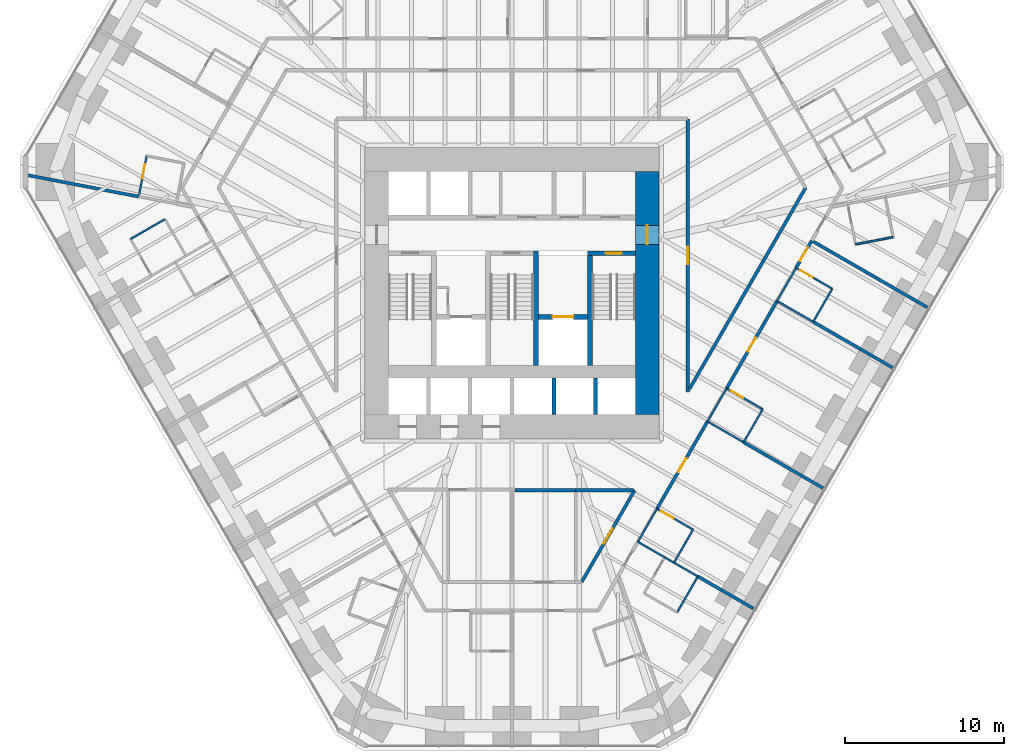
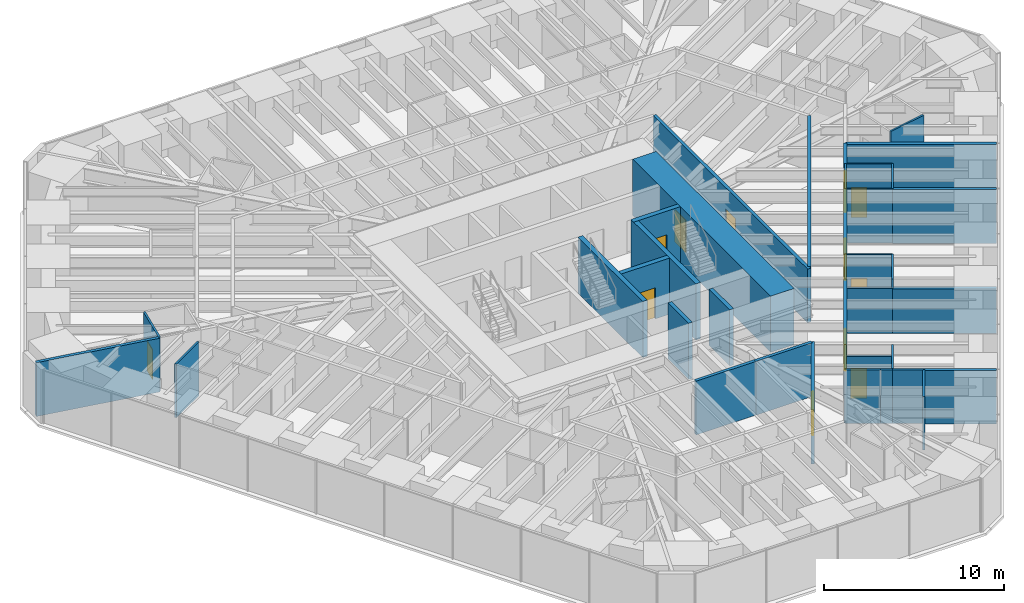
# One storey, part 13 of 17: 38 walls, 12 doors, 12 openings.
"""IFC4 building model written with IfcOpenShell, lengths in metres."""

from ifc_helpers import new_model, si_unit, direction, frame, frame_2d, origin, place, context, subcontext, project, spatial, rectangle, extrude, material, layer, layer_set, type_object, element, fill, save


model = new_model("IFC4")

# Units and contexts
model_context = context("Model", 3, precision=1e-05, world=origin(), true_north=direction((0.0, 1.0)))
body_context = subcontext(model_context, "Body", "Model", "MODEL_VIEW")
ifc_project = project(units=[si_unit("LENGTHUNIT", "METRE"), si_unit("AREAUNIT", "SQUARE_METRE"), si_unit("VOLUMEUNIT", "CUBIC_METRE"), si_unit("PLANEANGLEUNIT", "RADIAN"), si_unit("MASSUNIT", "GRAM", prefix="KILO")], contexts=[model_context])

# Site, building, storey
site_placement = place(None, origin())
site = spatial("IfcSite", under=ifc_project, at=site_placement, CompositionType="ELEMENT")
building_placement = place(site_placement, origin())
building = spatial("IfcBuilding", under=site, at=building_placement, Name="Sandreach Pilgrim Tower", CompositionType="ELEMENT")
storey_placement = place(building_placement, frame((0.0, 0.0, 53.39990234375)))
storey = spatial("IfcBuildingStorey", under=building, at=storey_placement, Name="L12", CompositionType="ELEMENT", Elevation=53.39990234375)

# Wall, opening, door
ifc_material_1 = material(Name="Moisture-resistant gypsum board on steel studs", Category="steel")
ifc_layer_1 = layer(ifc_material_1, 0.1201171875)
ifc_layer_set_1 = layer_set([ifc_layer_1], Name="Bathroom partition 120")
wall_type_1 = type_object("IfcWallType", Name="Bathroom partition 120", PredefinedType="PARTITIONING", material=ifc_layer_set_1)
wall_1_placement = place(storey_placement, frame((-22.9599609375, 7.070068359375, 0.0), z_axis=(0.0, 0.0, 1.0), x_axis=(-0.191686286181, -0.981456248485, 0.0)))
wall_1 = element("IfcWall", 1, at=wall_1_placement, inside=storey, type_object=wall_type_1, Name="Bathroom partition L12-006", PredefinedType="PARTITIONING", context=body_context, shape_type="SweptSolid", body=[
    extrude(rectangle(XDim=2.6083984375, YDim=0.1201171875, at=frame_2d((1.30419921875, 0.0))), origin(), (0.0, 0.0, 1.0), 3.64013671875),
])
opening_1_placement = place(wall_1_placement, frame((0.550048828125, 0.0, 0.0)))
opening_1 = element("IfcOpeningElement", 2, at=opening_1_placement, cuts=wall_1, Name="Opening D09-19B", PredefinedType="OPENING", context=body_context, shape_type="SweptSolid", body=[
    extrude(rectangle(XDim=0.89990234375, YDim=2.030029296875, at=frame_2d((0.449951171875, 1.01513671875))), frame((0.0, 0.06005859375, 0.0), z_axis=(0.0, -1.0, 0.0), x_axis=(1.0, 0.0, 0.0)), (0.0, 0.0, 1.0), 0.1201171875),
])
ifc_material_2 = material(Name="Timber door, steel frame", Category="steel")
door_type_1 = type_object("IfcDoorType", Name="Bathroom door", OperationType="SINGLE_SWING_LEFT", PredefinedType="DOOR", material=ifc_material_2)
door_1_placement = place(opening_1_placement, origin())
door_1 = element("IfcDoor", 3, at=door_1_placement, inside=storey, type_object=door_type_1, Name="Door 1219B", OperationType="SINGLE_SWING_LEFT", OverallHeight=2.030029296875, OverallWidth=0.89990234375, PredefinedType="DOOR", context=body_context, shape_type="SweptSolid", body=[
    extrude(rectangle(XDim=0.89990234375, YDim=2.030029296875, at=frame_2d((0.449951171875, 1.01513671875))), frame((0.0, 0.02490234375, 0.0), z_axis=(0.0, -1.0, 0.0), x_axis=(1.0, 0.0, 0.0)), (0.0, 0.0, 1.0), 0.050048828125),
])
fill(opening_1, door_1)

# Walls
wall_2_placement = place(storey_placement, frame((-21.81005859375, 3.090087890625, 0.0), z_axis=(0.0, 0.0, 1.0), x_axis=(-0.866510016372, -0.499159685399, 0.0)))
element("IfcWall", 4, at=wall_2_placement, inside=storey, type_object=wall_type_1, Name="Bathroom partition L12-008", PredefinedType="PARTITIONING", context=body_context, shape_type="SweptSolid", body=[
    extrude(rectangle(XDim=2.504150390625, YDim=0.1201171875, at=frame_2d((1.251953125, 0.0))), origin(), (0.0, 0.0, 1.0), 3.64013671875),
])
wall_3_placement = place(storey_placement, frame((7.909912109375, -17.18994140625, 0.0), z_axis=(0.0, 0.0, 1.0), x_axis=(0.499737123639, 0.866177122335, 0.0)))
element("IfcWall", 5, at=wall_3_placement, inside=storey, type_object=wall_type_1, Name="Bathroom partition L12-100", PredefinedType="PARTITIONING", context=body_context, shape_type="SweptSolid", body=[
    extrude(rectangle(XDim=2.401123046875, YDim=0.1201171875, at=frame_2d((1.20068359375, 0.0))), origin(), (0.0, 0.0, 1.0), 3.64013671875),
])
wall_4_placement = place(storey_placement, frame((7.909912109375, -17.18994140625, 0.0), z_axis=(0.0, 0.0, 1.0), x_axis=(0.8673242112, -0.497743621421, 0.0)))
element("IfcWall", 6, at=wall_4_placement, inside=storey, type_object=wall_type_1, Name="Bathroom partition L12-101", PredefinedType="PARTITIONING", context=body_context, shape_type="SweptSolid", body=[
    extrude(rectangle(XDim=1.94873046875, YDim=0.1201171875, at=frame_2d((0.974365234375, 0.0))), origin(), (0.0, 0.0, 1.0), 3.64013671875),
])
wall_5_placement = place(storey_placement, frame((9.60009765625, -18.159912109375, 0.0), z_axis=(0.0, 0.0, 1.0), x_axis=(0.862577739272, -0.505924543497, 0.0)))
element("IfcWall", 7, at=wall_5_placement, inside=storey, type_object=wall_type_1, Name="Bathroom partition L12-111", PredefinedType="PARTITIONING", context=body_context, shape_type="SweptSolid", body=[
    extrude(rectangle(XDim=0.672119140625, YDim=0.1201171875, at=frame_2d((0.3359375, 0.0))), origin(), (0.0, 0.0, 1.0), 3.64013671875),
])
wall_6_placement = place(storey_placement, frame((10.179931640625, -18.5, 0.0), z_axis=(0.0, 0.0, 1.0), x_axis=(0.499693115345, 0.866202511239, 0.0)))
element("IfcWall", 8, at=wall_6_placement, inside=storey, type_object=wall_type_1, Name="Bathroom partition L12-112", PredefinedType="PARTITIONING", context=body_context, shape_type="SweptSolid", body=[
    extrude(rectangle(XDim=2.4013671875, YDim=0.1201171875, at=frame_2d((1.20068359375, 0.0))), origin(), (0.0, 0.0, 1.0), 3.64013671875),
])
wall_7_placement = place(storey_placement, frame((10.179931640625, -18.5, 0.0), z_axis=(0.0, 0.0, 1.0), x_axis=(0.867564547129, -0.497324598794, 0.0)))
element("IfcWall", 9, at=wall_7_placement, inside=storey, type_object=wall_type_1, Name="Bathroom partition L12-113", PredefinedType="PARTITIONING", context=body_context, shape_type="SweptSolid", body=[
    extrude(rectangle(XDim=1.72900390625, YDim=0.1201171875, at=frame_2d((0.864501953125, 0.0))), origin(), (0.0, 0.0, 1.0), 3.64013671875),
])
wall_8_placement = place(storey_placement, frame((10.3798828125, -21.6201171875, 0.0), z_axis=(0.0, 0.0, 1.0), x_axis=(0.498627694264, 0.866816256489, 0.0)))
element("IfcWall", 10, at=wall_8_placement, inside=storey, type_object=wall_type_1, Name="Bathroom partition L12-114", PredefinedType="PARTITIONING", context=body_context, shape_type="SweptSolid", body=[
    extrude(rectangle(XDim=2.607177734375, YDim=0.1201171875, at=frame_2d((1.3037109375, 0.0))), origin(), (0.0, 0.0, 1.0), 3.64013671875),
])

# Wall, opening, door
wall_9_placement = place(storey_placement, frame((11.3798828125, -16.419921875, 0.0), z_axis=(0.0, 0.0, 1.0), x_axis=(-0.866154567199, 0.49977621564, 0.0)))
wall_9 = element("IfcWall", 11, at=wall_9_placement, inside=storey, type_object=wall_type_1, Name="Bathroom partition L12-123", PredefinedType="PARTITIONING", context=body_context, shape_type="SweptSolid", body=[
    extrude(rectangle(XDim=2.620849609375, YDim=0.1201171875, at=frame_2d((1.310546875, 0.0))), origin(), (0.0, 0.0, 1.0), 2.878173828125),
])
opening_2_placement = place(wall_9_placement, frame((1.4208984375, 0.0, 0.0)))
opening_2 = element("IfcOpeningElement", 12, at=opening_2_placement, cuts=wall_9, Name="Opening D09-10B", PredefinedType="OPENING", context=body_context, shape_type="SweptSolid", body=[
    extrude(rectangle(XDim=0.89990234375, YDim=2.030029296875, at=frame_2d((0.449951171875, 1.01513671875))), frame((0.0, 0.06005859375, 0.0), z_axis=(0.0, -1.0, 0.0), x_axis=(1.0, 0.0, 0.0)), (0.0, 0.0, 1.0), 0.1201171875),
])
door_2_placement = place(opening_2_placement, origin())
door_2 = element("IfcDoor", 13, at=door_2_placement, inside=storey, type_object=door_type_1, Name="Door 1210B", OperationType="SINGLE_SWING_RIGHT", OverallHeight=2.030029296875, OverallWidth=0.89990234375, PredefinedType="DOOR", context=body_context, shape_type="SweptSolid", body=[
    extrude(rectangle(XDim=0.89990234375, YDim=2.030029296875, at=frame_2d((0.449951171875, 1.01513671875))), frame((0.0, 0.02490234375, 0.0), z_axis=(0.0, -1.0, 0.0), x_axis=(1.0, 0.0, 0.0)), (0.0, 0.0, 1.0), 0.050048828125),
])
fill(opening_2, door_2)

# Walls
wall_10_placement = place(storey_placement, frame((12.2900390625, -9.6201171875, 0.0), z_axis=(0.0, 0.0, 1.0), x_axis=(0.499693115345, 0.866202511239, 0.0)))
element("IfcWall", 14, at=wall_10_placement, inside=storey, type_object=wall_type_1, Name="Bathroom partition L12-125", PredefinedType="PARTITIONING", context=body_context, shape_type="SweptSolid", body=[
    extrude(rectangle(XDim=2.4013671875, YDim=0.1201171875, at=frame_2d((1.20068359375, 0.0))), origin(), (0.0, 0.0, 1.0), 3.64013671875),
])
wall_11_placement = place(storey_placement, frame((12.2900390625, -9.6201171875, 0.0), z_axis=(0.0, 0.0, 1.0), x_axis=(0.865987003449, -0.500066505434, 0.0)))
element("IfcWall", 15, at=wall_11_placement, inside=storey, type_object=wall_type_1, Name="Bathroom partition L12-126", PredefinedType="PARTITIONING", context=body_context, shape_type="SweptSolid", body=[
    extrude(rectangle(XDim=2.620849609375, YDim=0.1201171875, at=frame_2d((1.310546875, 0.0))), origin(), (0.0, 0.0, 1.0), 3.0380859375),
])
wall_12_placement = place(storey_placement, frame((14.56005859375, -10.929931640625, 0.0), z_axis=(0.0, 0.0, 1.0), x_axis=(0.499737123639, 0.866177122335, 0.0)))
element("IfcWall", 16, at=wall_12_placement, inside=storey, type_object=wall_type_1, Name="Bathroom partition L12-132", PredefinedType="PARTITIONING", context=body_context, shape_type="SweptSolid", body=[
    extrude(rectangle(XDim=2.401123046875, YDim=0.1201171875, at=frame_2d((1.20068359375, 0.0))), origin(), (0.0, 0.0, 1.0), 3.64013671875),
])

# Wall, opening, door
wall_13_placement = place(storey_placement, frame((15.760009765625, -8.85009765625, 0.0), z_axis=(0.0, 0.0, 1.0), x_axis=(-0.866114241029, 0.499846097802, 0.0)))
wall_13 = element("IfcWall", 17, at=wall_13_placement, inside=storey, type_object=wall_type_1, Name="Bathroom partition L12-136", PredefinedType="PARTITIONING", context=body_context, shape_type="SweptSolid", body=[
    extrude(rectangle(XDim=2.620849609375, YDim=0.1201171875, at=frame_2d((1.310546875, 0.0))), origin(), (0.0, 0.0, 1.0), 3.64013671875),
])
opening_3_placement = place(wall_13_placement, frame((1.4208984375, 0.0, 0.0)))
opening_3 = element("IfcOpeningElement", 18, at=opening_3_placement, cuts=wall_13, Name="Opening D09-09B", PredefinedType="OPENING", context=body_context, shape_type="SweptSolid", body=[
    extrude(rectangle(XDim=0.89990234375, YDim=2.030029296875, at=frame_2d((0.449951171875, 1.01513671875))), frame((0.0, 0.06005859375, 0.0), z_axis=(0.0, -1.0, 0.0), x_axis=(1.0, 0.0, 0.0)), (0.0, 0.0, 1.0), 0.1201171875),
])
door_3_placement = place(opening_3_placement, origin())
door_3 = element("IfcDoor", 19, at=door_3_placement, inside=storey, type_object=door_type_1, Name="Door 1209B", OperationType="SINGLE_SWING_RIGHT", OverallHeight=2.030029296875, OverallWidth=0.89990234375, PredefinedType="DOOR", context=body_context, shape_type="SweptSolid", body=[
    extrude(rectangle(XDim=0.89990234375, YDim=2.030029296875, at=frame_2d((0.449951171875, 1.01513671875))), frame((0.0, 0.02490234375, 0.0), z_axis=(0.0, -1.0, 0.0), x_axis=(1.0, 0.0, 0.0)), (0.0, 0.0, 1.0), 0.050048828125),
])
fill(opening_3, door_3)

# Walls
wall_14_placement = place(storey_placement, frame((16.659912109375, -2.050048828125, 0.0), z_axis=(0.0, 0.0, 1.0), x_axis=(0.499693115345, 0.866202511239, 0.0)))
element("IfcWall", 20, at=wall_14_placement, inside=storey, type_object=wall_type_1, Name="Bathroom partition L12-137", PredefinedType="PARTITIONING", context=body_context, shape_type="SweptSolid", body=[
    extrude(rectangle(XDim=2.4013671875, YDim=0.1201171875, at=frame_2d((1.20068359375, 0.0))), origin(), (0.0, 0.0, 1.0), 3.64013671875),
])
wall_15_placement = place(storey_placement, frame((16.659912109375, -2.050048828125, 0.0), z_axis=(0.0, 0.0, 1.0), x_axis=(0.866010296064, -0.500026166427, 0.0)))
element("IfcWall", 21, at=wall_15_placement, inside=storey, type_object=wall_type_1, Name="Bathroom partition L12-138", PredefinedType="PARTITIONING", context=body_context, shape_type="SweptSolid", body=[
    extrude(rectangle(XDim=2.620849609375, YDim=0.1201171875, at=frame_2d((1.310546875, 0.0))), origin(), (0.0, 0.0, 1.0), 3.64013671875),
])
wall_16_placement = place(storey_placement, frame((18.929931640625, -3.360107421875, 0.0), z_axis=(0.0, 0.0, 1.0), x_axis=(0.499693115345, 0.866202511239, 0.0)))
element("IfcWall", 22, at=wall_16_placement, inside=storey, type_object=wall_type_1, Name="Bathroom partition L12-144", PredefinedType="PARTITIONING", context=body_context, shape_type="SweptSolid", body=[
    extrude(rectangle(XDim=2.4013671875, YDim=0.1201171875, at=frame_2d((1.20068359375, 0.0))), origin(), (0.0, 0.0, 1.0), 3.64013671875),
])

# Wall, opening, door
wall_17_placement = place(storey_placement, frame((20.1298828125, -1.280029296875, 0.0), z_axis=(0.0, 0.0, 1.0), x_axis=(-0.866114241029, 0.499846097802, 0.0)))
wall_17 = element("IfcWall", 23, at=wall_17_placement, inside=storey, type_object=wall_type_1, Name="Bathroom partition L12-150", PredefinedType="PARTITIONING", context=body_context, shape_type="SweptSolid", body=[
    extrude(rectangle(XDim=2.620849609375, YDim=0.1201171875, at=frame_2d((1.310546875, 0.0))), origin(), (0.0, 0.0, 1.0), 3.64013671875),
])
opening_4_placement = place(wall_17_placement, frame((1.4208984375, 0.0, 0.0)))
opening_4 = element("IfcOpeningElement", 24, at=opening_4_placement, cuts=wall_17, Name="Opening D09-08B", PredefinedType="OPENING", context=body_context, shape_type="SweptSolid", body=[
    extrude(rectangle(XDim=0.89990234375, YDim=2.030029296875, at=frame_2d((0.449951171875, 1.01513671875))), frame((0.0, 0.06005859375, 0.0), z_axis=(0.0, -1.0, 0.0), x_axis=(1.0, 0.0, 0.0)), (0.0, 0.0, 1.0), 0.1201171875),
])
door_4_placement = place(opening_4_placement, origin())
door_4 = element("IfcDoor", 25, at=door_4_placement, inside=storey, type_object=door_type_1, Name="Door 1208B", OperationType="SINGLE_SWING_RIGHT", OverallHeight=2.030029296875, OverallWidth=0.89990234375, PredefinedType="DOOR", context=body_context, shape_type="SweptSolid", body=[
    extrude(rectangle(XDim=0.89990234375, YDim=2.030029296875, at=frame_2d((0.449951171875, 1.01513671875))), frame((0.0, 0.02490234375, 0.0), z_axis=(0.0, -1.0, 0.0), x_axis=(1.0, 0.0, 0.0)), (0.0, 0.0, 1.0), 0.050048828125),
])
fill(opening_4, door_4)

# Walls
wall_18_placement = place(storey_placement, frame((21.590087890625, 1.510009765625, 0.0), z_axis=(0.0, 0.0, 1.0), x_axis=(0.982303859288, 0.187294228499, 0.0)))
element("IfcWall", 26, at=wall_18_placement, inside=storey, type_object=wall_type_1, Name="Bathroom partition L12-158", PredefinedType="PARTITIONING", context=body_context, shape_type="SweptSolid", body=[
    extrude(rectangle(XDim=2.40234375, YDim=0.1201171875, at=frame_2d((1.201171875, 0.0))), origin(), (0.0, 0.0, 1.0), 3.64013671875),
])
ifc_material_3 = material(Name="Concrete 10000 psi", Category="concrete")
ifc_layer_2 = layer(ifc_material_3, 0.300048828125)
ifc_layer_set_2 = layer_set([ifc_layer_2], Name="Core inner wall 300")
wall_type_2 = type_object("IfcWallType", Name="Core inner wall 300", PredefinedType="SHEAR", material=ifc_layer_set_2)
for number, where, z_axis, x_axis, name in (
    (27, (1.5, -6.10009765625, 0.0), (0.0, 0.0, 1.0), (0.0, 1.0, 0.0), "Core wall I2 L12"),
    (28, (4.89990234375, -6.10009765625, 0.0), (0.0, 0.0, 1.0), (0.0, 1.0, 0.0), "Core wall I3 L12"),
):
    element("IfcWall", number, at=place(storey_placement, frame(where, z_axis=z_axis, x_axis=x_axis)), inside=storey, type_object=wall_type_2, Name=name, PredefinedType="SHEAR", context=body_context, shape_type="SweptSolid", body=[
        extrude(rectangle(XDim=7.2001953125, YDim=0.300048828125, at=frame_2d((3.60009765625, 0.0))), origin(), (0.0, 0.0, 1.0), 3.800048828125),
    ])

# Wall, opening, door
wall_19_placement = place(storey_placement, frame((4.75, 0.949951171875, 0.0), z_axis=(0.0, 0.0, 1.0), x_axis=(1.0, 0.0, 0.0)))
wall_19 = element("IfcWall", 29, at=wall_19_placement, inside=storey, type_object=wall_type_2, Name="Core wall SN2 L12", PredefinedType="SHEAR", context=body_context, shape_type="SweptSolid", body=[
    extrude(rectangle(XDim=3.0, YDim=0.300048828125, at=frame_2d((1.5, 0.0))), origin(), (0.0, 0.0, 1.0), 3.800048828125),
])
opening_5_placement = place(wall_19_placement, frame((1.14990234375, 0.0, 0.0)))
opening_5 = element("IfcOpeningElement", 30, at=opening_5_placement, cuts=wall_19, Name="Opening D10S-ST2", PredefinedType="OPENING", context=body_context, shape_type="SweptSolid", body=[
    extrude(rectangle(XDim=1.0, YDim=2.199951171875, at=frame_2d((0.5, 1.10009765625))), frame((0.0, 0.14990234375, 0.0), z_axis=(0.0, -1.0, 0.0), x_axis=(1.0, 0.0, 0.0)), (0.0, 0.0, 1.0), 0.300048828125),
])
ifc_material_4 = material(Name="Steel door and frame", Category="steel")
door_type_2 = type_object("IfcDoorType", Name="Stair door", OperationType="SINGLE_SWING_LEFT", PredefinedType="DOOR", material=ifc_material_4)
door_5_placement = place(opening_5_placement, origin())
door_5 = element("IfcDoor", 31, at=door_5_placement, inside=storey, type_object=door_type_2, Name="Stair door ST2 L12", OperationType="SINGLE_SWING_RIGHT", OverallHeight=2.199951171875, OverallWidth=1.0, PredefinedType="DOOR", context=body_context, shape_type="SweptSolid", body=[
    extrude(rectangle(XDim=1.0, YDim=2.199951171875, at=frame_2d((0.5, 1.10009765625))), frame((0.0, 0.02490234375, 0.0), z_axis=(0.0, -1.0, 0.0), x_axis=(1.0, 0.0, 0.0)), (0.0, 0.0, 1.0), 0.050048828125),
])
fill(opening_5, door_5)

wall_20_placement = place(storey_placement, frame((1.64990234375, -3.050048828125, 0.0), z_axis=(0.0, 0.0, 1.0), x_axis=(1.0, 0.0, 0.0)))
wall_20 = element("IfcWall", 32, at=wall_20_placement, inside=storey, type_object=wall_type_2, Name="Core wall FL2 L12", PredefinedType="SHEAR", context=body_context, shape_type="SweptSolid", body=[
    extrude(rectangle(XDim=3.10009765625, YDim=0.300048828125, at=frame_2d((1.550048828125, 0.0))), origin(), (0.0, 0.0, 1.0), 3.800048828125),
])
opening_6_placement = place(wall_20_placement, frame((0.89990234375, 0.0, 0.0)))
opening_6 = element("IfcOpeningElement", 33, at=opening_6_placement, cuts=wall_20, Name="Opening LD13", PredefinedType="OPENING", context=body_context, shape_type="SweptSolid", body=[
    extrude(rectangle(XDim=1.300048828125, YDim=2.10009765625, at=frame_2d((0.64990234375, 1.050048828125))), frame((0.0, 0.14990234375, 0.0), z_axis=(0.0, -1.0, 0.0), x_axis=(1.0, 0.0, 0.0)), (0.0, 0.0, 1.0), 0.300048828125),
])
ifc_material_5 = material(Name="Steel door and frame", Category="steel")
door_type_3 = type_object("IfcDoorType", Name="Fire service lift landing door", OperationType="DOUBLE_DOOR_SLIDING", PredefinedType="DOOR", material=ifc_material_5)
door_6_placement = place(opening_6_placement, origin())
door_6 = element("IfcDoor", 34, at=door_6_placement, inside=storey, type_object=door_type_3, Name="Lift landing door FS2 L12", OperationType="DOUBLE_DOOR_SLIDING", OverallHeight=2.10009765625, OverallWidth=1.300048828125, PredefinedType="DOOR", context=body_context, shape_type="SweptSolid", body=[
    extrude(rectangle(XDim=1.300048828125, YDim=2.10009765625, at=frame_2d((0.64990234375, 1.050048828125))), frame((0.0, 0.02490234375, 0.0), z_axis=(0.0, -1.0, 0.0), x_axis=(1.0, 0.0, 0.0)), (0.0, 0.0, 1.0), 0.050048828125),
])
fill(opening_6, door_6)

ifc_material_6 = material(Name="Concrete 10000 psi", Category="concrete")
ifc_layer_3 = layer(ifc_material_6, 1.5)
ifc_layer_set_3 = layer_set([ifc_layer_3], Name="Core wall 1500")
wall_type_3 = type_object("IfcWallType", Name="Core wall 1500", PredefinedType="SHEAR", material=ifc_layer_set_3)
wall_21_placement = place(storey_placement, frame((8.5, -9.199951171875, 0.0), z_axis=(0.0, 0.0, 1.0), x_axis=(0.0, 1.0, 0.0)))
wall_21 = element("IfcWall", 35, at=wall_21_placement, inside=storey, type_object=wall_type_3, Name="Core wall E L12", PredefinedType="SHEAR", context=body_context, shape_type="SweptSolid", body=[
    extrude(rectangle(XDim=15.300048828125, YDim=1.5, at=frame_2d((7.64990234375, 0.0))), origin(), (0.0, 0.0, 1.0), 3.800048828125),
])
opening_7_placement = place(wall_21_placement, frame((10.699951171875, 0.0, 0.0)))
opening_7 = element("IfcOpeningElement", 36, at=opening_7_placement, cuts=wall_21, Name="Opening D12F-E", PredefinedType="OPENING", context=body_context, shape_type="SweptSolid", body=[
    extrude(rectangle(XDim=1.199951171875, YDim=2.199951171875, at=frame_2d((0.60009765625, 1.10009765625))), frame((0.0, 0.75, 0.0), z_axis=(0.0, -1.0, 0.0), x_axis=(1.0, 0.0, 0.0)), (0.0, 0.0, 1.0), 1.5),
])
ifc_material_7 = material(Name="Steel door and frame", Category="steel")
door_type_4 = type_object("IfcDoorType", Name="Fire lobby door", OperationType="SINGLE_SWING_LEFT", PredefinedType="DOOR", material=ifc_material_7)
door_7_placement = place(opening_7_placement, origin())
door_7 = element("IfcDoor", 37, at=door_7_placement, inside=storey, type_object=door_type_4, Name="Fire service lobby door E L12", OperationType="SINGLE_SWING_RIGHT", OverallHeight=2.199951171875, OverallWidth=1.199951171875, PredefinedType="DOOR", context=body_context, shape_type="SweptSolid", body=[
    extrude(rectangle(XDim=1.199951171875, YDim=2.199951171875, at=frame_2d((0.60009765625, 1.10009765625))), frame((0.0, 0.02490234375, 0.0), z_axis=(0.0, -1.0, 0.0), x_axis=(1.0, 0.0, 0.0)), (0.0, 0.0, 1.0), 0.050048828125),
])
fill(opening_7, door_7)

# Walls
ifc_material_8 = material(Name="Gypsum board on steel studs, two layers each side", Category="steel")
ifc_layer_4 = layer(ifc_material_8, 0.199951171875)
ifc_layer_set_4 = layer_set([ifc_layer_4], Name="Corridor wall 200")
wall_type_4 = type_object("IfcWallType", Name="Corridor wall 200", PredefinedType="PARTITIONING", material=ifc_layer_set_4)
wall_22_placement = place(storey_placement, frame((0.179931640625, -13.949951171875, 0.0), z_axis=(0.0, 0.0, 1.0), x_axis=(1.0, 0.0, 0.0)))
element("IfcWall", 38, at=wall_22_placement, inside=storey, type_object=wall_type_4, Name="Corridor wall L12-082", PredefinedType="PARTITIONING", context=body_context, shape_type="SweptSolid", body=[
    extrude(rectangle(XDim=3.820068359375, YDim=0.199951171875, at=frame_2d((1.91015625, 0.0))), origin(), (0.0, 0.0, 1.0), 3.64013671875),
])
wall_23_placement = place(storey_placement, frame((4.0, -13.949951171875, 0.0), z_axis=(0.0, 0.0, 1.0), x_axis=(1.0, 0.0, 0.0)))
element("IfcWall", 39, at=wall_23_placement, inside=storey, type_object=wall_type_4, Name="Corridor wall L12-090", PredefinedType="PARTITIONING", context=body_context, shape_type="SweptSolid", body=[
    extrude(rectangle(XDim=3.635009765625, YDim=0.199951171875, at=frame_2d((1.8173828125, 0.0))), origin(), (0.0, 0.0, 1.0), 3.64013671875),
])

# Wall, opening, door
wall_24_placement = place(storey_placement, frame((7.7099609375, -13.949951171875, 0.0), z_axis=(0.0, 0.0, 1.0), x_axis=(-0.500511113963, -0.865730110831, 0.0)))
wall_24 = element("IfcWall", 40, at=wall_24_placement, inside=storey, type_object=wall_type_4, Name="Corridor wall L12-099", PredefinedType="PARTITIONING", context=body_context, shape_type="SweptSolid", body=[
    extrude(rectangle(XDim=6.6533203125, YDim=0.199951171875, at=frame_2d((3.32666015625, 0.0))), origin(), (0.0, 0.0, 1.0), 3.64013671875),
])
opening_8_placement = place(wall_24_placement, frame((2.776611328125, 0.0, 0.0)))
opening_8 = element("IfcOpeningElement", 41, at=opening_8_placement, cuts=wall_24, Name="Opening D11H-S4", PredefinedType="OPENING", context=body_context, shape_type="SweptSolid", body=[
    extrude(rectangle(XDim=1.10009765625, YDim=2.199951171875, at=frame_2d((0.550048828125, 1.10009765625))), frame((0.0, 0.10009765625, 0.0), z_axis=(0.0, -1.0, 0.0), x_axis=(1.0, 0.0, 0.0)), (0.0, 0.0, 1.0), 0.199951171875),
])
ifc_material_9 = material(Name="Steel door and frame", Category="steel")
door_type_5 = type_object("IfcDoorType", Name="Back of house door", OperationType="SINGLE_SWING_LEFT", PredefinedType="DOOR", material=ifc_material_9)
door_8_placement = place(opening_8_placement, origin())
door_8 = element("IfcDoor", 42, at=door_8_placement, inside=storey, type_object=door_type_5, Name="Door 12S4", OperationType="SINGLE_SWING_LEFT", OverallHeight=2.199951171875, OverallWidth=1.10009765625, PredefinedType="DOOR", context=body_context, shape_type="SweptSolid", body=[
    extrude(rectangle(XDim=1.10009765625, YDim=2.199951171875, at=frame_2d((0.550048828125, 1.10009765625))), frame((0.0, 0.02490234375, 0.0), z_axis=(0.0, -1.0, 0.0), x_axis=(1.0, 0.0, 0.0)), (0.0, 0.0, 1.0), 0.050048828125),
])
fill(opening_8, door_8)

wall_25_placement = place(storey_placement, frame((9.110107421875, -15.110107421875, 0.0), z_axis=(0.0, 0.0, 1.0), x_axis=(0.50119856319, 0.865332306259, 0.0)))
wall_25 = element("IfcWall", 43, at=wall_25_placement, inside=storey, type_object=wall_type_4, Name="Corridor wall L12-106", PredefinedType="PARTITIONING", context=body_context, shape_type="SweptSolid", body=[
    extrude(rectangle(XDim=6.3447265625, YDim=0.199951171875, at=frame_2d((3.17236328125, 0.0))), origin(), (0.0, 0.0, 1.0), 3.64013671875),
])
opening_9_placement = place(wall_25_placement, frame((2.67236328125, 0.0, 0.0)))
opening_9 = element("IfcOpeningElement", 44, at=opening_9_placement, cuts=wall_25, Name="Opening D10-10", PredefinedType="OPENING", context=body_context, shape_type="SweptSolid", body=[
    extrude(rectangle(XDim=1.0, YDim=2.1298828125, at=frame_2d((0.5, 1.06494140625))), frame((0.0, 0.10009765625, 0.0), z_axis=(0.0, -1.0, 0.0), x_axis=(1.0, 0.0, 0.0)), (0.0, 0.0, 1.0), 0.199951171875),
])
ifc_material_10 = material(Name="Steel door and frame", Category="steel")
door_type_6 = type_object("IfcDoorType", Name="Guest room entry door", OperationType="SINGLE_SWING_LEFT", PredefinedType="DOOR", material=ifc_material_10)
door_9_placement = place(opening_9_placement, origin())
door_9 = element("IfcDoor", 45, at=door_9_placement, inside=storey, type_object=door_type_6, Name="Door 1210", OperationType="SINGLE_SWING_LEFT", OverallHeight=2.1298828125, OverallWidth=1.0, PredefinedType="DOOR", context=body_context, shape_type="SweptSolid", body=[
    extrude(rectangle(XDim=1.0, YDim=2.1298828125, at=frame_2d((0.5, 1.06494140625))), frame((0.0, 0.02490234375, 0.0), z_axis=(0.0, -1.0, 0.0), x_axis=(1.0, 0.0, 0.0)), (0.0, 0.0, 1.0), 0.050048828125),
])
fill(opening_9, door_9)

wall_26_placement = place(storey_placement, frame((11.050048828125, -7.760009765625, 0.0), z_axis=(0.0, 0.0, 1.0), x_axis=(0.0, 1.0, 0.0)))
wall_26 = element("IfcWall", 46, at=wall_26_placement, inside=storey, type_object=wall_type_4, Name="Corridor wall L12-122", PredefinedType="PARTITIONING", context=body_context, shape_type="SweptSolid", body=[
    extrude(rectangle(XDim=17.159912109375, YDim=0.199951171875, at=frame_2d((8.580078125, 0.0))), origin(), (0.0, 0.0, 1.0), 3.64013671875),
])
opening_10_placement = place(wall_26_placement, frame((8.030029296875, 0.0, 0.0)))
opening_10 = element("IfcOpeningElement", 47, at=opening_10_placement, cuts=wall_26, Name="Opening D11H-M04", PredefinedType="OPENING", context=body_context, shape_type="SweptSolid", body=[
    extrude(rectangle(XDim=1.10009765625, YDim=2.199951171875, at=frame_2d((0.550048828125, 1.10009765625))), frame((0.0, 0.10009765625, 0.0), z_axis=(0.0, -1.0, 0.0), x_axis=(1.0, 0.0, 0.0)), (0.0, 0.0, 1.0), 0.199951171875),
])
door_10_placement = place(opening_10_placement, origin())
door_10 = element("IfcDoor", 48, at=door_10_placement, inside=storey, type_object=door_type_5, Name="Door 12M04", OperationType="SINGLE_SWING_LEFT", OverallHeight=2.199951171875, OverallWidth=1.10009765625, PredefinedType="DOOR", context=body_context, shape_type="SweptSolid", body=[
    extrude(rectangle(XDim=1.10009765625, YDim=2.199951171875, at=frame_2d((0.550048828125, 1.10009765625))), frame((0.0, 0.02490234375, 0.0), z_axis=(0.0, -1.0, 0.0), x_axis=(1.0, 0.0, 0.0)), (0.0, 0.0, 1.0), 0.050048828125),
])
fill(opening_10, door_10)

wall_27_placement = place(storey_placement, frame((13.489990234375, -7.5400390625, 0.0), z_axis=(0.0, 0.0, 1.0), x_axis=(0.500032479136, 0.866006651134, 0.0)))
wall_27 = element("IfcWall", 49, at=wall_27_placement, inside=storey, type_object=wall_type_4, Name="Corridor wall L12-127", PredefinedType="PARTITIONING", context=body_context, shape_type="SweptSolid", body=[
    extrude(rectangle(XDim=6.33935546875, YDim=0.199951171875, at=frame_2d((3.169677734375, 0.0))), origin(), (0.0, 0.0, 1.0), 3.64013671875),
])
opening_11_placement = place(wall_27_placement, frame((2.669921875, 0.0, 0.0)))
opening_11 = element("IfcOpeningElement", 50, at=opening_11_placement, cuts=wall_27, Name="Opening D10-09", PredefinedType="OPENING", context=body_context, shape_type="SweptSolid", body=[
    extrude(rectangle(XDim=1.0, YDim=2.1298828125, at=frame_2d((0.5, 1.06494140625))), frame((0.0, 0.10009765625, 0.0), z_axis=(0.0, -1.0, 0.0), x_axis=(1.0, 0.0, 0.0)), (0.0, 0.0, 1.0), 0.199951171875),
])
door_11_placement = place(opening_11_placement, origin())
door_11 = element("IfcDoor", 51, at=door_11_placement, inside=storey, type_object=door_type_6, Name="Door 1209", OperationType="SINGLE_SWING_LEFT", OverallHeight=2.1298828125, OverallWidth=1.0, PredefinedType="DOOR", context=body_context, shape_type="SweptSolid", body=[
    extrude(rectangle(XDim=1.0, YDim=2.1298828125, at=frame_2d((0.5, 1.06494140625))), frame((0.0, 0.02490234375, 0.0), z_axis=(0.0, -1.0, 0.0), x_axis=(1.0, 0.0, 0.0)), (0.0, 0.0, 1.0), 0.050048828125),
])
fill(opening_11, door_11)

wall_28_placement = place(storey_placement, frame((17.85400390625, 0.033447265625, 0.0), z_axis=(0.0, 0.0, 1.0), x_axis=(0.500308553443, 0.865847187067, 0.0)))
wall_28 = element("IfcWall", 52, at=wall_28_placement, inside=storey, type_object=wall_type_4, Name="Corridor wall L12-139", PredefinedType="PARTITIONING", context=body_context, shape_type="SweptSolid", body=[
    extrude(rectangle(XDim=1.970947265625, YDim=0.199951171875, at=frame_2d((0.9853515625, 0.0))), origin(), (0.0, 0.0, 1.0), 3.64013671875),
])
opening_12_placement = place(wall_28_placement, frame((0.4853515625, 0.0, 0.0)))
opening_12 = element("IfcOpeningElement", 53, at=opening_12_placement, cuts=wall_28, Name="Opening D10-08", PredefinedType="OPENING", context=body_context, shape_type="SweptSolid", body=[
    extrude(rectangle(XDim=1.0, YDim=2.1298828125, at=frame_2d((0.5, 1.06494140625))), frame((0.0, 0.10009765625, 0.0), z_axis=(0.0, -1.0, 0.0), x_axis=(1.0, 0.0, 0.0)), (0.0, 0.0, 1.0), 0.199951171875),
])
door_12_placement = place(opening_12_placement, origin())
door_12 = element("IfcDoor", 54, at=door_12_placement, inside=storey, type_object=door_type_6, Name="Door 1208", OperationType="SINGLE_SWING_LEFT", OverallHeight=2.1298828125, OverallWidth=1.0, PredefinedType="DOOR", context=body_context, shape_type="SweptSolid", body=[
    extrude(rectangle(XDim=1.0, YDim=2.1298828125, at=frame_2d((0.5, 1.06494140625))), frame((0.0, 0.02490234375, 0.0), z_axis=(0.0, -1.0, 0.0), x_axis=(1.0, 0.0, 0.0)), (0.0, 0.0, 1.0), 0.050048828125),
])
fill(opening_12, door_12)

# Walls
wall_29_placement = place(storey_placement, frame((18.449951171875, 5.06005859375, 0.0), z_axis=(0.0, 0.0, 1.0), x_axis=(-0.499910730718, -0.866076937294, 0.0)))
element("IfcWall", 55, at=wall_29_placement, inside=storey, type_object=wall_type_4, Name="Corridor wall L12-141", PredefinedType="PARTITIONING", context=body_context, shape_type="SweptSolid", body=[
    extrude(rectangle(XDim=14.592529296875, YDim=0.199951171875, at=frame_2d((7.29638671875, 0.0))), origin(), (0.0, 0.0, 1.0), 3.64013671875),
])
ifc_material_11 = material(Name="Double steel stud acoustic wall, gypsum board", Category="steel")
ifc_layer_5 = layer(ifc_material_11, 0.199951171875)
ifc_layer_set_5 = layer_set([ifc_layer_5], Name="Party wall 200")
wall_type_5 = type_object("IfcWallType", Name="Party wall 200", PredefinedType="PARTITIONING", material=ifc_layer_set_5)
wall_30_placement = place(storey_placement, frame((-30.590576171875, 5.88427734375, 0.0), z_axis=(0.0, 0.0, 1.0), x_axis=(0.981929870864, -0.189245155035, 0.0)))
element("IfcWall", 56, at=wall_30_placement, inside=storey, type_object=wall_type_5, Name="Party wall L12-001", PredefinedType="PARTITIONING", context=body_context, shape_type="SweptSolid", body=[
    extrude(rectangle(XDim=7.26171875, YDim=0.199951171875, at=frame_2d((3.630859375, 0.0))), origin(), (0.0, 0.0, 1.0), 3.64013671875),
])
wall_31_placement = place(storey_placement, frame((11.679931640625, -19.360107421875, 0.0), z_axis=(0.0, 0.0, 1.0), x_axis=(0.865885444553, -0.500242338183, 0.0)))
element("IfcWall", 57, at=wall_31_placement, inside=storey, type_object=wall_type_5, Name="Party wall L12-124", PredefinedType="PARTITIONING", context=body_context, shape_type="SweptSolid", body=[
    extrude(rectangle(XDim=4.03759765625, YDim=0.199951171875, at=frame_2d((2.018798828125, 0.0))), origin(), (0.0, 0.0, 1.0), 3.64013671875),
])
wall_32_placement = place(storey_placement, frame((14.5595703125, -10.9306640625, 0.0), z_axis=(0.0, 0.0, 1.0), x_axis=(0.865995646508, -0.500051537573, 0.0)))
element("IfcWall", 58, at=wall_32_placement, inside=storey, type_object=wall_type_5, Name="Party wall L12-131", PredefinedType="PARTITIONING", context=body_context, shape_type="SweptSolid", body=[
    extrude(rectangle(XDim=5.75830078125, YDim=0.199951171875, at=frame_2d((2.879150390625, 0.0))), origin(), (0.0, 0.0, 1.0), 3.0380859375),
])
wall_33_placement = place(storey_placement, frame((18.9296875, -3.360595703125, 0.0), z_axis=(0.0, 0.0, 1.0), x_axis=(0.865985044037, -0.500069898618, 0.0)))
element("IfcWall", 59, at=wall_33_placement, inside=storey, type_object=wall_type_5, Name="Party wall L12-143", PredefinedType="PARTITIONING", context=body_context, shape_type="SweptSolid", body=[
    extrude(rectangle(XDim=5.758056640625, YDim=0.199951171875, at=frame_2d((2.87890625, 0.0))), origin(), (0.0, 0.0, 1.0), 3.64013671875),
])
wall_34_placement = place(storey_placement, frame((26.09619140625, -2.449951171875, 0.0), z_axis=(0.0, 0.0, 1.0), x_axis=(-0.865997946826, 0.500047553832, 0.0)))
element("IfcWall", 60, at=wall_34_placement, inside=storey, type_object=wall_type_5, Name="Party wall L12-164", PredefinedType="PARTITIONING", context=body_context, shape_type="SweptSolid", body=[
    extrude(rectangle(XDim=8.364013671875, YDim=0.199951171875, at=frame_2d((4.18212890625, 0.0))), origin(), (0.0, 0.0, 1.0), 3.64013671875),
])
ifc_material_12 = material(Name="Gypsum shaft wall on steel studs, two layers of shaft liner board", Category="steel")
ifc_layer_6 = layer(ifc_material_12, 0.25)
ifc_layer_set_6 = layer_set([ifc_layer_6], Name="Shaft partition 250")
wall_type_6 = type_object("IfcWallType", Name="Shaft partition 250", PredefinedType="PARTITIONING", material=ifc_layer_set_6)
for number, where, z_axis, x_axis, name in (
    (61, (2.625, -9.199951171875, 0.0), (0.0, 0.0, 1.0), (0.0, 1.0, 0.0), "Shaft partition XS3 L12"),
    (62, (5.25, -9.199951171875, 0.0), (0.0, 0.0, 1.0), (0.0, 1.0, 0.0), "Shaft partition XS4 L12"),
):
    element("IfcWall", number, at=place(storey_placement, frame(where, z_axis=z_axis, x_axis=x_axis)), inside=storey, type_object=wall_type_6, Name=name, PredefinedType="PARTITIONING", context=body_context, shape_type="SweptSolid", body=[
        extrude(rectangle(XDim=2.300048828125, YDim=0.25, at=frame_2d((1.14990234375, 0.0))), origin(), (0.0, 0.0, 1.0), 3.800048828125),
    ])

save(model, "model.ifc")
